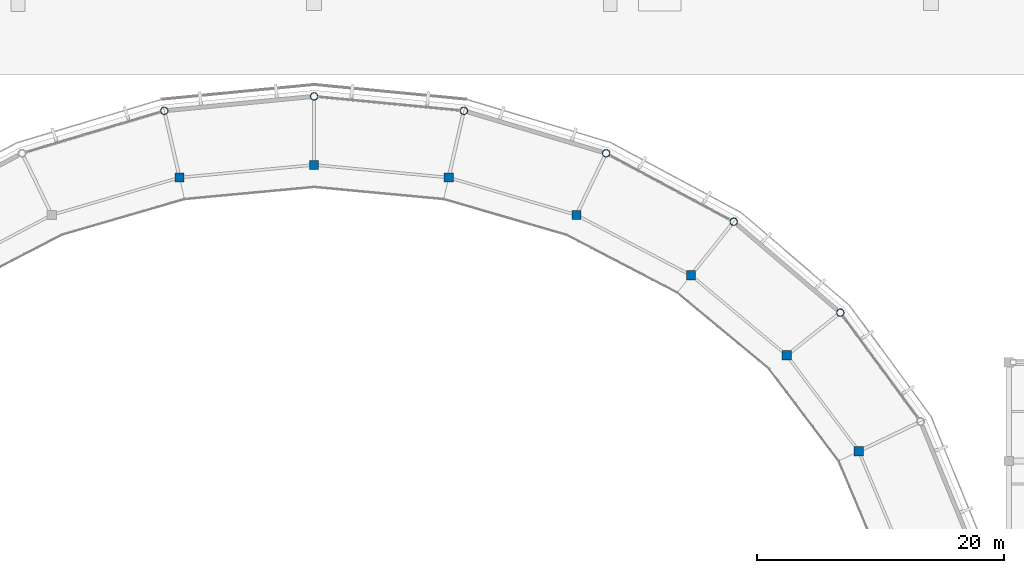
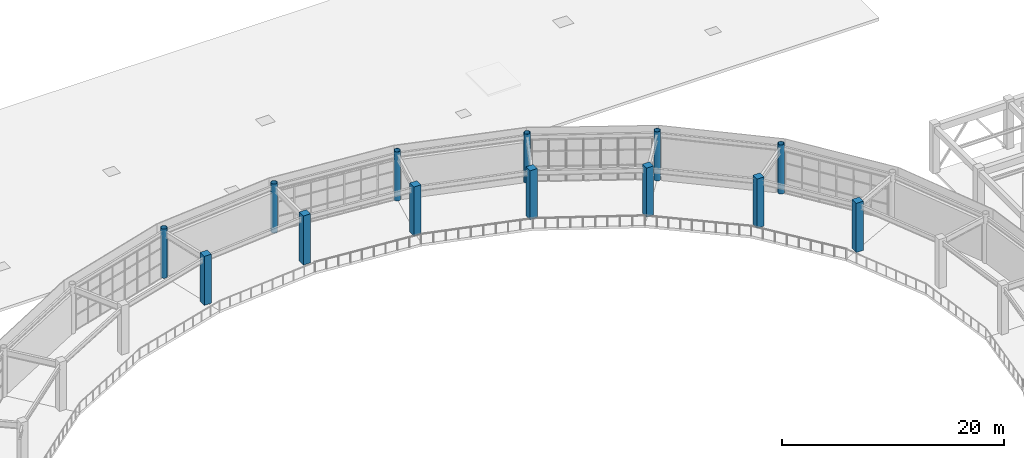
# One storey, part 8 of 70: 13 columns.
"""IFC4 building model written with IfcOpenShell, lengths in metres."""

from ifc_helpers import new_model, si_unit, direction, frame, origin, origin_2d, place, context, subcontext, project, spatial, rectangle, hollow_circle, extrude, material, material_profile, profile_set, type_object, element, save


model = new_model("IFC4")

# Units and contexts
model_context = context("Model", 3, precision=1e-05, world=origin(), true_north=direction((0.0, 1.0)))
body_context = subcontext(model_context, "Body", "Model", "MODEL_VIEW")
ifc_project = project(units=[si_unit("LENGTHUNIT", "METRE"), si_unit("AREAUNIT", "SQUARE_METRE"), si_unit("VOLUMEUNIT", "CUBIC_METRE"), si_unit("PLANEANGLEUNIT", "RADIAN"), si_unit("MASSUNIT", "GRAM", prefix="KILO")], contexts=[model_context])

# Site, building, storey
site_placement = place(None, origin())
site = spatial("IfcSite", under=ifc_project, at=site_placement, CompositionType="ELEMENT")
building_placement = place(site_placement, origin())
building = spatial("IfcBuilding", under=site, at=building_placement, Name="Cuetzalor Civic Arena", CompositionType="ELEMENT")
storey_placement = place(building_placement, frame((0.0, 0.0, 21.0)))
storey = spatial("IfcBuildingStorey", under=building, at=storey_placement, Name="L04", CompositionType="ELEMENT", Elevation=21.0)

# Columns
ifc_material_1 = material(Name="Concrete C40/50", Category="concrete")
ifc_material_profile_1 = material_profile(ifc_material_1, rectangle(XDim=0.75, YDim=0.75, at=origin_2d()), Name="RC 750x750")
ifc_profile_set_1 = profile_set([ifc_material_profile_1], Name="Concrete C40/50")
column_type_1 = type_object("IfcColumnType", Name="ConcreteColumn_750", PredefinedType="COLUMN", material=ifc_profile_set_1)
for number, where, z_axis, x_axis, name in (
    (1, (44.1474609375, 17.789306640625, 0.0), (0.0, 0.0, 1.0), (1.0, 0.0, 0.0), "Column V1-REC-03 L04"),
    (2, (38.309814453125, 25.56298828125, 0.0), (0.0, 0.0, 1.0), (1.0, 0.0, 0.0), "Column V1-REC-04 L04"),
    (3, (30.551025390625, 32.05517578125, 0.0), (0.0, 0.0, 1.0), (1.0, 0.0, 0.0), "Column V1-REC-05 L04"),
    (4, (21.26025390625, 36.939697265625, 0.0), (0.0, 0.0, 1.0), (1.0, 0.0, 0.0), "Column V1-REC-06 L04"),
    (5, (10.903564453125, 39.971923828125, 0.0), (0.0, 0.0, 1.0), (1.0, 0.0, 0.0), "Column V1-REC-07 L04"),
    (6, (0.0, 41.0, 0.0), (0.0, 0.0, 1.0), (1.0, 0.0, 0.0), "Column V1-REC-08 L04"),
    (7, (-10.903564453125, 39.971923828125, 0.0), (0.0, 0.0, 1.0), (1.0, 0.0, 0.0), "Column V1-REC-09 L04"),
):
    element("IfcColumn", number, at=place(storey_placement, frame(where, z_axis=z_axis, x_axis=x_axis)), inside=storey, type_object=column_type_1, Name=name, PredefinedType="COLUMN", context=body_context, shape_type="SweptSolid", body=[
        extrude(rectangle(XDim=0.75, YDim=0.75, at=origin_2d()), origin(), (0.0, 0.0, 1.0), 5.39990234375),
    ])
ifc_material_2 = material(Name="Steel S355", Category="steel")
ifc_material_profile_2 = material_profile(ifc_material_2, hollow_circle(Radius=0.304931640625, WallThickness=0.02490234375, at=origin_2d()), Name="CHS 610x25")
ifc_profile_set_2 = profile_set([ifc_material_profile_2], Name="Steel S355")
column_type_2 = type_object("IfcColumnType", Name="SteelDomePylon_CHS610", PredefinedType="COLUMN", material=ifc_profile_set_2)
for number, where, z_axis, x_axis, name in (
    (8, (42.64892578125, 29.0234375, 0.0), (0.0, 0.0, 1.0), (1.0, 0.0, 0.0), "Column V1-PYL-04 L04"),
    (9, (34.011474609375, 36.394287109375, 0.0), (0.0, 0.0, 1.0), (1.0, 0.0, 0.0), "Column V1-PYL-05 L04"),
    (10, (23.66845703125, 41.940185546875, 0.0), (0.0, 0.0, 1.0), (1.0, 0.0, 0.0), "Column V1-PYL-06 L04"),
    (11, (12.138427734375, 45.3828125, 0.0), (0.0, 0.0, 1.0), (1.0, 0.0, 0.0), "Column V1-PYL-07 L04"),
    (12, (0.0, 46.550048828125, 0.0), (0.0, 0.0, 1.0), (1.0, 0.0, 0.0), "Column V1-PYL-08 L04"),
    (13, (-12.138427734375, 45.3828125, 0.0), (0.0, 0.0, 1.0), (1.0, 0.0, 0.0), "Column V1-PYL-09 L04"),
):
    element("IfcColumn", number, at=place(storey_placement, frame(where, z_axis=z_axis, x_axis=x_axis)), inside=storey, type_object=column_type_2, Name=name, PredefinedType="COLUMN", context=body_context, shape_type="SweptSolid", body=[
        extrude(hollow_circle(Radius=0.304931640625, WallThickness=0.02490234375, at=origin_2d()), origin(), (0.0, 0.0, 1.0), 5.39990234375),
    ])

save(model, "model.ifc")
